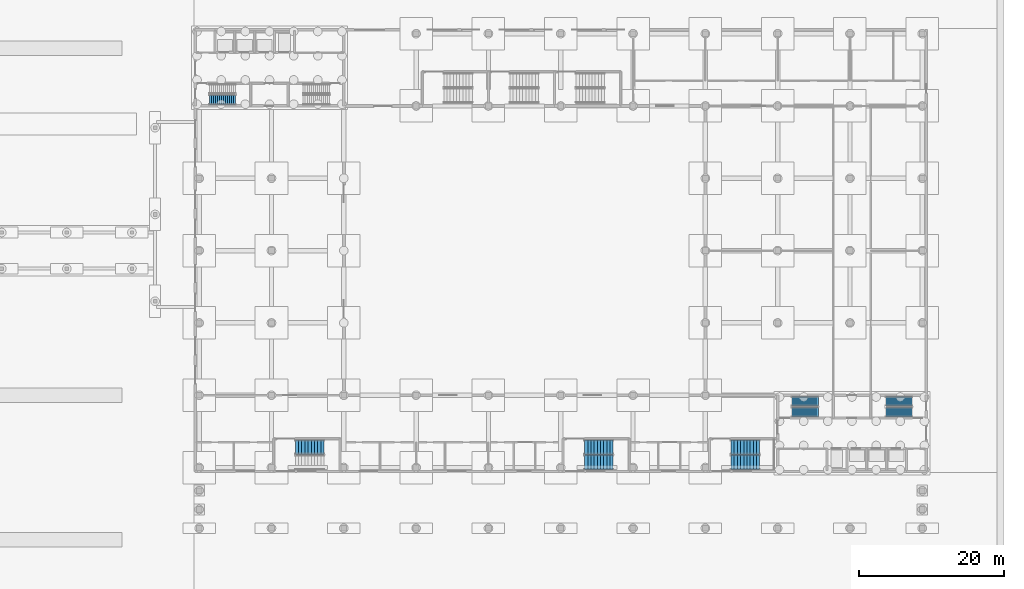
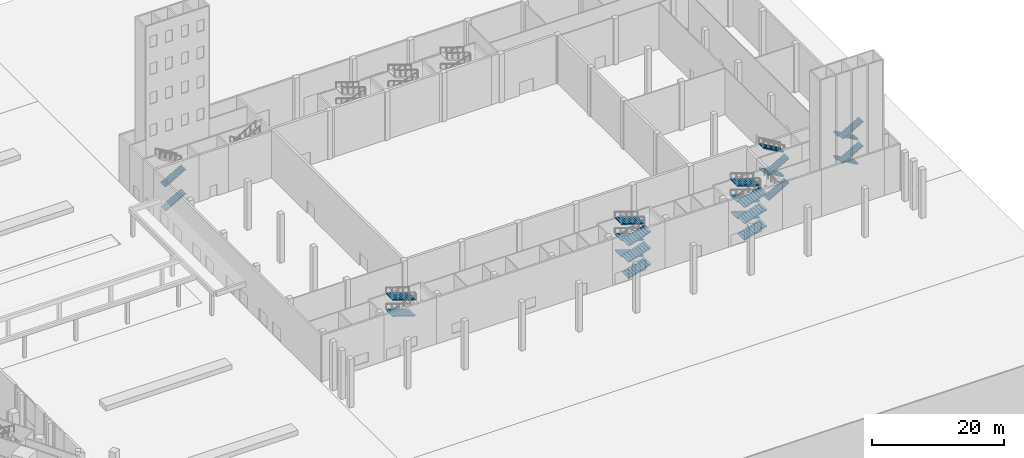
# One storey, part 42 of 63: 24 stair flights, 6 elements without a shape of their own.
"""IFC4 building model written with IfcOpenShell, lengths in metres."""

from ifc_helpers import new_model, si_unit, direction, frame, origin, place, context, subcontext, project, spatial, polyline, outline, extrude, material, type_object, element, aggregate, save


model = new_model("IFC4")

# Units and contexts
model_context = context("Model", 3, precision=1e-05, world=origin(), true_north=direction((0.0, 1.0)))
body_context = subcontext(model_context, "Body", "Model", "MODEL_VIEW")
ifc_project = project(units=[si_unit("LENGTHUNIT", "METRE"), si_unit("AREAUNIT", "SQUARE_METRE"), si_unit("VOLUMEUNIT", "CUBIC_METRE"), si_unit("PLANEANGLEUNIT", "RADIAN"), si_unit("MASSUNIT", "GRAM", prefix="KILO")], contexts=[model_context])

# Site, building, storey
site_placement = place(None, origin())
site = spatial("IfcSite", under=ifc_project, at=site_placement, CompositionType="ELEMENT")
building_placement = place(site_placement, origin())
building = spatial("IfcBuilding", under=site, at=building_placement, Name="Jabali Bay Hotel Tower and Convention Centre", CompositionType="ELEMENT")
storey_placement = place(building_placement, origin())
storey = spatial("IfcBuildingStorey", under=building, at=storey_placement, Name="L00", CompositionType="ELEMENT", Elevation=0.0)

# Stair, stair flights
ifc_material = material(Name="Concrete C40", Category="concrete")
stair_type = type_object("IfcStairType", Name="CC Dogleg Stair 1350", PredefinedType="HALF_TURN_STAIR", material=ifc_material)
stair_1_placement = place(storey_placement, origin())
stair_1 = element("IfcStair", 1, at=stair_1_placement, inside=storey, type_object=stair_type, Name="L00 West stair A", PredefinedType="HALF_TURN_STAIR")
stair_flight_type = type_object("IfcStairFlightType", Name="CC Stair Flight 1350", PredefinedType="STRAIGHT", material=ifc_material)
stair_flight_1_placement = place(storey_placement, frame((152.10009765625, 100.85009765625, 0.0), z_axis=(0.0, 0.0, 1.0), x_axis=(1.0, 0.0, 0.0)))
stair_flight_1 = element("IfcStairFlight", 2, at=stair_flight_1_placement, type_object=stair_flight_type, Name="CC-STWA flight 1", NumberOfRisers=14, NumberOfTreads=13, PredefinedType="STRAIGHT", RiserHeight=0.160714286, TreadLength=0.28, context=body_context, shape_type="SweptSolid", body=[
    extrude(outline(polyline([(0.0, 0.0), (0.0, 0.16064453125), (0.280029296875, 0.16064453125), (0.280029296875, 0.321533203125), (0.56005859375, 0.321533203125), (0.56005859375, 0.482177734375), (0.840087890625, 0.482177734375), (0.840087890625, 0.642822265625), (1.1201171875, 0.642822265625), (1.1201171875, 0.803466796875), (1.39990234375, 0.803466796875), (1.39990234375, 0.96435546875), (1.679931640625, 0.96435546875), (1.679931640625, 1.125), (1.9599609375, 1.125), (1.9599609375, 1.28564453125), (2.239990234375, 1.28564453125), (2.239990234375, 1.446533203125), (2.52001953125, 1.446533203125), (2.52001953125, 1.607177734375), (2.800048828125, 1.607177734375), (2.800048828125, 1.767822265625), (3.080078125, 1.767822265625), (3.080078125, 1.928466796875), (3.360107421875, 1.928466796875), (3.360107421875, 2.08935546875), (3.639892578125, 2.08935546875), (3.639892578125, 2.25), (3.639892578125, 1.91650390625), (0.301025390625, 0.0), (0.0, 0.0)])), frame((0.0, 0.675048828125, 0.0), z_axis=(0.0, -1.0, 0.0), x_axis=(1.0, 0.0, 0.0)), (0.0, 0.0, 1.0), 1.35009765625),
])
stair_flight_2_placement = place(storey_placement, frame((152.10009765625, 100.85009765625, 4.5), z_axis=(0.0, 0.0, 1.0), x_axis=(1.0, 0.0, 0.0)))
stair_flight_2 = element("IfcStairFlight", 3, at=stair_flight_2_placement, type_object=stair_flight_type, Name="CC-STWA flight 3", NumberOfRisers=14, NumberOfTreads=13, PredefinedType="STRAIGHT", RiserHeight=0.160714286, TreadLength=0.28, context=body_context, shape_type="SweptSolid", body=[
    extrude(outline(polyline([(0.0, 0.0), (0.0, 0.16064453125), (0.280029296875, 0.16064453125), (0.280029296875, 0.321533203125), (0.56005859375, 0.321533203125), (0.56005859375, 0.482177734375), (0.840087890625, 0.482177734375), (0.840087890625, 0.642822265625), (1.1201171875, 0.642822265625), (1.1201171875, 0.803466796875), (1.39990234375, 0.803466796875), (1.39990234375, 0.96435546875), (1.679931640625, 0.96435546875), (1.679931640625, 1.125), (1.9599609375, 1.125), (1.9599609375, 1.28564453125), (2.239990234375, 1.28564453125), (2.239990234375, 1.446533203125), (2.52001953125, 1.446533203125), (2.52001953125, 1.607177734375), (2.800048828125, 1.607177734375), (2.800048828125, 1.767822265625), (3.080078125, 1.767822265625), (3.080078125, 1.928466796875), (3.360107421875, 1.928466796875), (3.360107421875, 2.08935546875), (3.639892578125, 2.08935546875), (3.639892578125, 2.25), (3.639892578125, 1.91650390625), (0.301025390625, 0.0), (0.0, 0.0)])), frame((0.0, 0.675048828125, 0.0), z_axis=(0.0, -1.0, 0.0), x_axis=(1.0, 0.0, 0.0)), (0.0, 0.0, 1.0), 1.35009765625),
])
aggregate(stair_1, [stair_flight_1, stair_flight_2])

stair_2_placement = place(storey_placement, origin())
stair_2 = element("IfcStair", 4, at=stair_2_placement, inside=storey, type_object=stair_type, Name="L00 East stair A", PredefinedType="HALF_TURN_STAIR")
stair_flight_3_placement = place(storey_placement, frame((249.300048828125, 59.14990234375, 0.0), z_axis=(0.0, 0.0, 1.0), x_axis=(-1.0, 0.0, 0.0)))
stair_flight_3 = element("IfcStairFlight", 5, at=stair_flight_3_placement, type_object=stair_flight_type, Name="CC-STEA flight 1", NumberOfRisers=14, NumberOfTreads=13, PredefinedType="STRAIGHT", RiserHeight=0.160714286, TreadLength=0.28, context=body_context, shape_type="SweptSolid", body=[
    extrude(outline(polyline([(0.0, 0.0), (0.0, 0.16064453125), (0.280029296875, 0.16064453125), (0.280029296875, 0.321533203125), (0.56005859375, 0.321533203125), (0.56005859375, 0.482177734375), (0.840087890625, 0.482177734375), (0.840087890625, 0.642822265625), (1.1201171875, 0.642822265625), (1.1201171875, 0.803466796875), (1.39990234375, 0.803466796875), (1.39990234375, 0.96435546875), (1.679931640625, 0.96435546875), (1.679931640625, 1.125), (1.9599609375, 1.125), (1.9599609375, 1.28564453125), (2.239990234375, 1.28564453125), (2.239990234375, 1.446533203125), (2.52001953125, 1.446533203125), (2.52001953125, 1.607177734375), (2.800048828125, 1.607177734375), (2.800048828125, 1.767822265625), (3.080078125, 1.767822265625), (3.080078125, 1.928466796875), (3.360107421875, 1.928466796875), (3.360107421875, 2.08935546875), (3.639892578125, 2.08935546875), (3.639892578125, 2.25), (3.639892578125, 1.91650390625), (0.301025390625, 0.0), (0.0, 0.0)])), frame((0.0, 0.675048828125, 0.0), z_axis=(0.0, -1.0, 0.0), x_axis=(1.0, 0.0, 0.0)), (0.0, 0.0, 1.0), 1.35009765625),
])
stair_flight_4_placement = place(storey_placement, frame((245.659912109375, 57.64990234375, 2.25), z_axis=(0.0, 0.0, 1.0), x_axis=(1.0, 0.0, 0.0)))
stair_flight_4 = element("IfcStairFlight", 6, at=stair_flight_4_placement, type_object=stair_flight_type, Name="CC-STEA flight 2", NumberOfRisers=14, NumberOfTreads=13, PredefinedType="STRAIGHT", RiserHeight=0.160714286, TreadLength=0.28, context=body_context, shape_type="SweptSolid", body=[
    extrude(outline(polyline([(0.0, 0.0), (0.0, 0.16064453125), (0.280029296875, 0.16064453125), (0.280029296875, 0.321533203125), (0.56005859375, 0.321533203125), (0.56005859375, 0.482177734375), (0.840087890625, 0.482177734375), (0.840087890625, 0.642822265625), (1.1201171875, 0.642822265625), (1.1201171875, 0.803466796875), (1.39990234375, 0.803466796875), (1.39990234375, 0.96435546875), (1.679931640625, 0.96435546875), (1.679931640625, 1.125), (1.9599609375, 1.125), (1.9599609375, 1.28564453125), (2.239990234375, 1.28564453125), (2.239990234375, 1.446533203125), (2.52001953125, 1.446533203125), (2.52001953125, 1.607177734375), (2.800048828125, 1.607177734375), (2.800048828125, 1.767822265625), (3.080078125, 1.767822265625), (3.080078125, 1.928466796875), (3.360107421875, 1.928466796875), (3.360107421875, 2.08935546875), (3.639892578125, 2.08935546875), (3.639892578125, 2.25), (3.639892578125, 1.91650390625), (0.301025390625, 0.0), (0.0, 0.0)])), frame((0.0, 0.675048828125, 0.0), z_axis=(0.0, -1.0, 0.0), x_axis=(1.0, 0.0, 0.0)), (0.0, 0.0, 1.0), 1.35009765625),
])
stair_flight_5_placement = place(storey_placement, frame((249.300048828125, 59.14990234375, 4.5), z_axis=(0.0, 0.0, 1.0), x_axis=(-1.0, 0.0, 0.0)))
stair_flight_5 = element("IfcStairFlight", 7, at=stair_flight_5_placement, type_object=stair_flight_type, Name="CC-STEA flight 3", NumberOfRisers=14, NumberOfTreads=13, PredefinedType="STRAIGHT", RiserHeight=0.160714286, TreadLength=0.28, context=body_context, shape_type="SweptSolid", body=[
    extrude(outline(polyline([(0.0, 0.0), (0.0, 0.16064453125), (0.280029296875, 0.16064453125), (0.280029296875, 0.321533203125), (0.56005859375, 0.321533203125), (0.56005859375, 0.482177734375), (0.840087890625, 0.482177734375), (0.840087890625, 0.642822265625), (1.1201171875, 0.642822265625), (1.1201171875, 0.803466796875), (1.39990234375, 0.803466796875), (1.39990234375, 0.96435546875), (1.679931640625, 0.96435546875), (1.679931640625, 1.125), (1.9599609375, 1.125), (1.9599609375, 1.28564453125), (2.239990234375, 1.28564453125), (2.239990234375, 1.446533203125), (2.52001953125, 1.446533203125), (2.52001953125, 1.607177734375), (2.800048828125, 1.607177734375), (2.800048828125, 1.767822265625), (3.080078125, 1.767822265625), (3.080078125, 1.928466796875), (3.360107421875, 1.928466796875), (3.360107421875, 2.08935546875), (3.639892578125, 2.08935546875), (3.639892578125, 2.25), (3.639892578125, 1.91650390625), (0.301025390625, 0.0), (0.0, 0.0)])), frame((0.0, 0.675048828125, 0.0), z_axis=(0.0, -1.0, 0.0), x_axis=(1.0, 0.0, 0.0)), (0.0, 0.0, 1.0), 1.35009765625),
])
stair_flight_6_placement = place(storey_placement, frame((245.659912109375, 57.64990234375, 6.75), z_axis=(0.0, 0.0, 1.0), x_axis=(1.0, 0.0, 0.0)))
stair_flight_6 = element("IfcStairFlight", 8, at=stair_flight_6_placement, type_object=stair_flight_type, Name="CC-STEA flight 4", NumberOfRisers=14, NumberOfTreads=13, PredefinedType="STRAIGHT", RiserHeight=0.160714286, TreadLength=0.28, context=body_context, shape_type="SweptSolid", body=[
    extrude(outline(polyline([(0.0, 0.0), (0.0, 0.16064453125), (0.280029296875, 0.16064453125), (0.280029296875, 0.321533203125), (0.56005859375, 0.321533203125), (0.56005859375, 0.482177734375), (0.840087890625, 0.482177734375), (0.840087890625, 0.642822265625), (1.1201171875, 0.642822265625), (1.1201171875, 0.803466796875), (1.39990234375, 0.803466796875), (1.39990234375, 0.96435546875), (1.679931640625, 0.96435546875), (1.679931640625, 1.125), (1.9599609375, 1.125), (1.9599609375, 1.28564453125), (2.239990234375, 1.28564453125), (2.239990234375, 1.446533203125), (2.52001953125, 1.446533203125), (2.52001953125, 1.607177734375), (2.800048828125, 1.607177734375), (2.800048828125, 1.767822265625), (3.080078125, 1.767822265625), (3.080078125, 1.928466796875), (3.360107421875, 1.928466796875), (3.360107421875, 2.08935546875), (3.639892578125, 2.08935546875), (3.639892578125, 2.25), (3.639892578125, 1.91650390625), (0.301025390625, 0.0), (0.0, 0.0)])), frame((0.0, 0.675048828125, 0.0), z_axis=(0.0, -1.0, 0.0), x_axis=(1.0, 0.0, 0.0)), (0.0, 0.0, 1.0), 1.35009765625),
])
aggregate(stair_2, [stair_flight_3, stair_flight_4, stair_flight_5, stair_flight_6])

stair_3_placement = place(storey_placement, origin())
stair_3 = element("IfcStair", 9, at=stair_3_placement, inside=storey, type_object=stair_type, Name="L00 East stair B", PredefinedType="HALF_TURN_STAIR")
stair_flight_7_placement = place(storey_placement, frame((232.675048828125, 57.64990234375, 0.0), z_axis=(0.0, 0.0, 1.0), x_axis=(1.0, 0.0, 0.0)))
stair_flight_7 = element("IfcStairFlight", 10, at=stair_flight_7_placement, type_object=stair_flight_type, Name="CC-STEB flight 1", NumberOfRisers=14, NumberOfTreads=13, PredefinedType="STRAIGHT", RiserHeight=0.160714286, TreadLength=0.28, context=body_context, shape_type="SweptSolid", body=[
    extrude(outline(polyline([(0.0, 0.0), (0.0, 0.16064453125), (0.280029296875, 0.16064453125), (0.280029296875, 0.321533203125), (0.56005859375, 0.321533203125), (0.56005859375, 0.482177734375), (0.840087890625, 0.482177734375), (0.840087890625, 0.642822265625), (1.1201171875, 0.642822265625), (1.1201171875, 0.803466796875), (1.39990234375, 0.803466796875), (1.39990234375, 0.96435546875), (1.679931640625, 0.96435546875), (1.679931640625, 1.125), (1.9599609375, 1.125), (1.9599609375, 1.28564453125), (2.239990234375, 1.28564453125), (2.239990234375, 1.446533203125), (2.52001953125, 1.446533203125), (2.52001953125, 1.607177734375), (2.800048828125, 1.607177734375), (2.800048828125, 1.767822265625), (3.080078125, 1.767822265625), (3.080078125, 1.928466796875), (3.360107421875, 1.928466796875), (3.360107421875, 2.08935546875), (3.639892578125, 2.08935546875), (3.639892578125, 2.25), (3.639892578125, 1.91650390625), (0.301025390625, 0.0), (0.0, 0.0)])), frame((0.0, 0.675048828125, 0.0), z_axis=(0.0, -1.0, 0.0), x_axis=(1.0, 0.0, 0.0)), (0.0, 0.0, 1.0), 1.35009765625),
])
stair_flight_8_placement = place(storey_placement, frame((236.31494140625, 59.14990234375, 2.25), z_axis=(0.0, 0.0, 1.0), x_axis=(-1.0, 0.0, 0.0)))
stair_flight_8 = element("IfcStairFlight", 11, at=stair_flight_8_placement, type_object=stair_flight_type, Name="CC-STEB flight 2", NumberOfRisers=14, NumberOfTreads=13, PredefinedType="STRAIGHT", RiserHeight=0.160714286, TreadLength=0.28, context=body_context, shape_type="SweptSolid", body=[
    extrude(outline(polyline([(0.0, 0.0), (0.0, 0.16064453125), (0.280029296875, 0.16064453125), (0.280029296875, 0.321533203125), (0.56005859375, 0.321533203125), (0.56005859375, 0.482177734375), (0.840087890625, 0.482177734375), (0.840087890625, 0.642822265625), (1.1201171875, 0.642822265625), (1.1201171875, 0.803466796875), (1.39990234375, 0.803466796875), (1.39990234375, 0.96435546875), (1.679931640625, 0.96435546875), (1.679931640625, 1.125), (1.9599609375, 1.125), (1.9599609375, 1.28564453125), (2.239990234375, 1.28564453125), (2.239990234375, 1.446533203125), (2.52001953125, 1.446533203125), (2.52001953125, 1.607177734375), (2.800048828125, 1.607177734375), (2.800048828125, 1.767822265625), (3.080078125, 1.767822265625), (3.080078125, 1.928466796875), (3.360107421875, 1.928466796875), (3.360107421875, 2.08935546875), (3.639892578125, 2.08935546875), (3.639892578125, 2.25), (3.639892578125, 1.91650390625), (0.301025390625, 0.0), (0.0, 0.0)])), frame((0.0, 0.675048828125, 0.0), z_axis=(0.0, -1.0, 0.0), x_axis=(1.0, 0.0, 0.0)), (0.0, 0.0, 1.0), 1.35009765625),
])
stair_flight_9_placement = place(storey_placement, frame((232.675048828125, 57.64990234375, 4.5), z_axis=(0.0, 0.0, 1.0), x_axis=(1.0, 0.0, 0.0)))
stair_flight_9 = element("IfcStairFlight", 12, at=stair_flight_9_placement, type_object=stair_flight_type, Name="CC-STEB flight 3", NumberOfRisers=14, NumberOfTreads=13, PredefinedType="STRAIGHT", RiserHeight=0.160714286, TreadLength=0.28, context=body_context, shape_type="SweptSolid", body=[
    extrude(outline(polyline([(0.0, 0.0), (0.0, 0.16064453125), (0.280029296875, 0.16064453125), (0.280029296875, 0.321533203125), (0.56005859375, 0.321533203125), (0.56005859375, 0.482177734375), (0.840087890625, 0.482177734375), (0.840087890625, 0.642822265625), (1.1201171875, 0.642822265625), (1.1201171875, 0.803466796875), (1.39990234375, 0.803466796875), (1.39990234375, 0.96435546875), (1.679931640625, 0.96435546875), (1.679931640625, 1.125), (1.9599609375, 1.125), (1.9599609375, 1.28564453125), (2.239990234375, 1.28564453125), (2.239990234375, 1.446533203125), (2.52001953125, 1.446533203125), (2.52001953125, 1.607177734375), (2.800048828125, 1.607177734375), (2.800048828125, 1.767822265625), (3.080078125, 1.767822265625), (3.080078125, 1.928466796875), (3.360107421875, 1.928466796875), (3.360107421875, 2.08935546875), (3.639892578125, 2.08935546875), (3.639892578125, 2.25), (3.639892578125, 1.91650390625), (0.301025390625, 0.0), (0.0, 0.0)])), frame((0.0, 0.675048828125, 0.0), z_axis=(0.0, -1.0, 0.0), x_axis=(1.0, 0.0, 0.0)), (0.0, 0.0, 1.0), 1.35009765625),
])
stair_flight_10_placement = place(storey_placement, frame((236.31494140625, 59.14990234375, 6.75), z_axis=(0.0, 0.0, 1.0), x_axis=(-1.0, 0.0, 0.0)))
stair_flight_10 = element("IfcStairFlight", 13, at=stair_flight_10_placement, type_object=stair_flight_type, Name="CC-STEB flight 4", NumberOfRisers=14, NumberOfTreads=13, PredefinedType="STRAIGHT", RiserHeight=0.160714286, TreadLength=0.28, context=body_context, shape_type="SweptSolid", body=[
    extrude(outline(polyline([(0.0, 0.0), (0.0, 0.16064453125), (0.280029296875, 0.16064453125), (0.280029296875, 0.321533203125), (0.56005859375, 0.321533203125), (0.56005859375, 0.482177734375), (0.840087890625, 0.482177734375), (0.840087890625, 0.642822265625), (1.1201171875, 0.642822265625), (1.1201171875, 0.803466796875), (1.39990234375, 0.803466796875), (1.39990234375, 0.96435546875), (1.679931640625, 0.96435546875), (1.679931640625, 1.125), (1.9599609375, 1.125), (1.9599609375, 1.28564453125), (2.239990234375, 1.28564453125), (2.239990234375, 1.446533203125), (2.52001953125, 1.446533203125), (2.52001953125, 1.607177734375), (2.800048828125, 1.607177734375), (2.800048828125, 1.767822265625), (3.080078125, 1.767822265625), (3.080078125, 1.928466796875), (3.360107421875, 1.928466796875), (3.360107421875, 2.08935546875), (3.639892578125, 2.08935546875), (3.639892578125, 2.25), (3.639892578125, 1.91650390625), (0.301025390625, 0.0), (0.0, 0.0)])), frame((0.0, 0.675048828125, 0.0), z_axis=(0.0, -1.0, 0.0), x_axis=(1.0, 0.0, 0.0)), (0.0, 0.0, 1.0), 1.35009765625),
])
aggregate(stair_3, [stair_flight_7, stair_flight_8, stair_flight_9, stair_flight_10])

stair_4_placement = place(storey_placement, origin())
stair_4 = element("IfcStair", 14, at=stair_4_placement, inside=storey, type_object=stair_type, Name="L00 South Exit Stair 1", PredefinedType="HALF_TURN_STAIR")
stair_flight_11_placement = place(storey_placement, frame((167.9599609375, 52.800048828125, 4.5), z_axis=(0.0, 0.0, 1.0), x_axis=(-1.0, 0.0, 0.0)))
stair_flight_11 = element("IfcStairFlight", 15, at=stair_flight_11_placement, type_object=stair_flight_type, Name="CC-STS1 flight 4", NumberOfRisers=10, NumberOfTreads=9, PredefinedType="STRAIGHT", RiserHeight=0.15, TreadLength=0.44, context=body_context, shape_type="SweptSolid", body=[
    extrude(outline(polyline([(0.0, 0.0), (0.0, 0.14990234375), (0.43994140625, 0.14990234375), (0.43994140625, 0.300048828125), (0.8798828125, 0.300048828125), (0.8798828125, 0.449951171875), (1.320068359375, 0.449951171875), (1.320068359375, 0.60009765625), (1.760009765625, 0.60009765625), (1.760009765625, 0.75), (2.199951171875, 0.75), (2.199951171875, 0.89990234375), (2.639892578125, 0.89990234375), (2.639892578125, 1.050048828125), (3.080078125, 1.050048828125), (3.080078125, 1.199951171875), (3.52001953125, 1.199951171875), (3.52001953125, 1.35009765625), (3.9599609375, 1.35009765625), (3.9599609375, 1.5), (3.9599609375, 1.191650390625), (0.464599609375, 0.0), (0.0, 0.0)])), frame((0.0, 1.0, 0.0), z_axis=(0.0, -1.0, 0.0), x_axis=(1.0, 0.0, 0.0)), (0.0, 0.0, 1.0), 2.0),
])
stair_flight_12_placement = place(storey_placement, frame((167.9599609375, 52.800048828125, 7.5), z_axis=(0.0, 0.0, 1.0), x_axis=(-1.0, 0.0, 0.0)))
stair_flight_12 = element("IfcStairFlight", 16, at=stair_flight_12_placement, type_object=stair_flight_type, Name="CC-STS1 flight 6", NumberOfRisers=10, NumberOfTreads=9, PredefinedType="STRAIGHT", RiserHeight=0.15, TreadLength=0.44, context=body_context, shape_type="SweptSolid", body=[
    extrude(outline(polyline([(0.0, 0.0), (0.0, 0.14990234375), (0.43994140625, 0.14990234375), (0.43994140625, 0.300048828125), (0.8798828125, 0.300048828125), (0.8798828125, 0.449951171875), (1.320068359375, 0.449951171875), (1.320068359375, 0.60009765625), (1.760009765625, 0.60009765625), (1.760009765625, 0.75), (2.199951171875, 0.75), (2.199951171875, 0.89990234375), (2.639892578125, 0.89990234375), (2.639892578125, 1.050048828125), (3.080078125, 1.050048828125), (3.080078125, 1.199951171875), (3.52001953125, 1.199951171875), (3.52001953125, 1.35009765625), (3.9599609375, 1.35009765625), (3.9599609375, 1.5), (3.9599609375, 1.191650390625), (0.464599609375, 0.0), (0.0, 0.0)])), frame((0.0, 1.0, 0.0), z_axis=(0.0, -1.0, 0.0), x_axis=(1.0, 0.0, 0.0)), (0.0, 0.0, 1.0), 2.0),
])
aggregate(stair_4, [stair_flight_11, stair_flight_12])

stair_5_placement = place(storey_placement, origin())
stair_5 = element("IfcStair", 17, at=stair_5_placement, inside=storey, type_object=stair_type, Name="L00 South Exit Stair 2", PredefinedType="HALF_TURN_STAIR")
stair_flight_13_placement = place(storey_placement, frame((204.0, 50.699951171875, 0.0), z_axis=(0.0, 0.0, 1.0), x_axis=(1.0, 0.0, 0.0)))
stair_flight_13 = element("IfcStairFlight", 18, at=stair_flight_13_placement, type_object=stair_flight_type, Name="CC-STS2 flight 1", NumberOfRisers=10, NumberOfTreads=9, PredefinedType="STRAIGHT", RiserHeight=0.15, TreadLength=0.44, context=body_context, shape_type="SweptSolid", body=[
    extrude(outline(polyline([(0.0, 0.0), (0.0, 0.14990234375), (0.43994140625, 0.14990234375), (0.43994140625, 0.300048828125), (0.8798828125, 0.300048828125), (0.8798828125, 0.449951171875), (1.320068359375, 0.449951171875), (1.320068359375, 0.60009765625), (1.760009765625, 0.60009765625), (1.760009765625, 0.75), (2.199951171875, 0.75), (2.199951171875, 0.89990234375), (2.639892578125, 0.89990234375), (2.639892578125, 1.050048828125), (3.080078125, 1.050048828125), (3.080078125, 1.199951171875), (3.52001953125, 1.199951171875), (3.52001953125, 1.35009765625), (3.9599609375, 1.35009765625), (3.9599609375, 1.5), (3.9599609375, 1.191650390625), (0.464599609375, 0.0), (0.0, 0.0)])), frame((0.0, 1.0, 0.0), z_axis=(0.0, -1.0, 0.0), x_axis=(1.0, 0.0, 0.0)), (0.0, 0.0, 1.0), 2.0),
])
stair_flight_14_placement = place(storey_placement, frame((207.9599609375, 52.800048828125, 1.5), z_axis=(0.0, 0.0, 1.0), x_axis=(-1.0, 0.0, 0.0)))
stair_flight_14 = element("IfcStairFlight", 19, at=stair_flight_14_placement, type_object=stair_flight_type, Name="CC-STS2 flight 2", NumberOfRisers=10, NumberOfTreads=9, PredefinedType="STRAIGHT", RiserHeight=0.15, TreadLength=0.44, context=body_context, shape_type="SweptSolid", body=[
    extrude(outline(polyline([(0.0, 0.0), (0.0, 0.14990234375), (0.43994140625, 0.14990234375), (0.43994140625, 0.300048828125), (0.8798828125, 0.300048828125), (0.8798828125, 0.449951171875), (1.320068359375, 0.449951171875), (1.320068359375, 0.60009765625), (1.760009765625, 0.60009765625), (1.760009765625, 0.75), (2.199951171875, 0.75), (2.199951171875, 0.89990234375), (2.639892578125, 0.89990234375), (2.639892578125, 1.050048828125), (3.080078125, 1.050048828125), (3.080078125, 1.199951171875), (3.52001953125, 1.199951171875), (3.52001953125, 1.35009765625), (3.9599609375, 1.35009765625), (3.9599609375, 1.5), (3.9599609375, 1.191650390625), (0.464599609375, 0.0), (0.0, 0.0)])), frame((0.0, 1.0, 0.0), z_axis=(0.0, -1.0, 0.0), x_axis=(1.0, 0.0, 0.0)), (0.0, 0.0, 1.0), 2.0),
])
stair_flight_15_placement = place(storey_placement, frame((204.0, 50.699951171875, 3.0), z_axis=(0.0, 0.0, 1.0), x_axis=(1.0, 0.0, 0.0)))
stair_flight_15 = element("IfcStairFlight", 20, at=stair_flight_15_placement, type_object=stair_flight_type, Name="CC-STS2 flight 3", NumberOfRisers=10, NumberOfTreads=9, PredefinedType="STRAIGHT", RiserHeight=0.15, TreadLength=0.44, context=body_context, shape_type="SweptSolid", body=[
    extrude(outline(polyline([(0.0, 0.0), (0.0, 0.14990234375), (0.43994140625, 0.14990234375), (0.43994140625, 0.300048828125), (0.8798828125, 0.300048828125), (0.8798828125, 0.449951171875), (1.320068359375, 0.449951171875), (1.320068359375, 0.60009765625), (1.760009765625, 0.60009765625), (1.760009765625, 0.75), (2.199951171875, 0.75), (2.199951171875, 0.89990234375), (2.639892578125, 0.89990234375), (2.639892578125, 1.050048828125), (3.080078125, 1.050048828125), (3.080078125, 1.199951171875), (3.52001953125, 1.199951171875), (3.52001953125, 1.35009765625), (3.9599609375, 1.35009765625), (3.9599609375, 1.5), (3.9599609375, 1.191650390625), (0.464599609375, 0.0), (0.0, 0.0)])), frame((0.0, 1.0, 0.0), z_axis=(0.0, -1.0, 0.0), x_axis=(1.0, 0.0, 0.0)), (0.0, 0.0, 1.0), 2.0),
])
stair_flight_16_placement = place(storey_placement, frame((207.9599609375, 52.800048828125, 4.5), z_axis=(0.0, 0.0, 1.0), x_axis=(-1.0, 0.0, 0.0)))
stair_flight_16 = element("IfcStairFlight", 21, at=stair_flight_16_placement, type_object=stair_flight_type, Name="CC-STS2 flight 4", NumberOfRisers=10, NumberOfTreads=9, PredefinedType="STRAIGHT", RiserHeight=0.15, TreadLength=0.44, context=body_context, shape_type="SweptSolid", body=[
    extrude(outline(polyline([(0.0, 0.0), (0.0, 0.14990234375), (0.43994140625, 0.14990234375), (0.43994140625, 0.300048828125), (0.8798828125, 0.300048828125), (0.8798828125, 0.449951171875), (1.320068359375, 0.449951171875), (1.320068359375, 0.60009765625), (1.760009765625, 0.60009765625), (1.760009765625, 0.75), (2.199951171875, 0.75), (2.199951171875, 0.89990234375), (2.639892578125, 0.89990234375), (2.639892578125, 1.050048828125), (3.080078125, 1.050048828125), (3.080078125, 1.199951171875), (3.52001953125, 1.199951171875), (3.52001953125, 1.35009765625), (3.9599609375, 1.35009765625), (3.9599609375, 1.5), (3.9599609375, 1.191650390625), (0.464599609375, 0.0), (0.0, 0.0)])), frame((0.0, 1.0, 0.0), z_axis=(0.0, -1.0, 0.0), x_axis=(1.0, 0.0, 0.0)), (0.0, 0.0, 1.0), 2.0),
])
stair_flight_17_placement = place(storey_placement, frame((204.0, 50.699951171875, 6.0), z_axis=(0.0, 0.0, 1.0), x_axis=(1.0, 0.0, 0.0)))
stair_flight_17 = element("IfcStairFlight", 22, at=stair_flight_17_placement, type_object=stair_flight_type, Name="CC-STS2 flight 5", NumberOfRisers=10, NumberOfTreads=9, PredefinedType="STRAIGHT", RiserHeight=0.15, TreadLength=0.44, context=body_context, shape_type="SweptSolid", body=[
    extrude(outline(polyline([(0.0, 0.0), (0.0, 0.14990234375), (0.43994140625, 0.14990234375), (0.43994140625, 0.300048828125), (0.8798828125, 0.300048828125), (0.8798828125, 0.449951171875), (1.320068359375, 0.449951171875), (1.320068359375, 0.60009765625), (1.760009765625, 0.60009765625), (1.760009765625, 0.75), (2.199951171875, 0.75), (2.199951171875, 0.89990234375), (2.639892578125, 0.89990234375), (2.639892578125, 1.050048828125), (3.080078125, 1.050048828125), (3.080078125, 1.199951171875), (3.52001953125, 1.199951171875), (3.52001953125, 1.35009765625), (3.9599609375, 1.35009765625), (3.9599609375, 1.5), (3.9599609375, 1.191650390625), (0.464599609375, 0.0), (0.0, 0.0)])), frame((0.0, 1.0, 0.0), z_axis=(0.0, -1.0, 0.0), x_axis=(1.0, 0.0, 0.0)), (0.0, 0.0, 1.0), 2.0),
])
stair_flight_18_placement = place(storey_placement, frame((207.9599609375, 52.800048828125, 7.5), z_axis=(0.0, 0.0, 1.0), x_axis=(-1.0, 0.0, 0.0)))
stair_flight_18 = element("IfcStairFlight", 23, at=stair_flight_18_placement, type_object=stair_flight_type, Name="CC-STS2 flight 6", NumberOfRisers=10, NumberOfTreads=9, PredefinedType="STRAIGHT", RiserHeight=0.15, TreadLength=0.44, context=body_context, shape_type="SweptSolid", body=[
    extrude(outline(polyline([(0.0, 0.0), (0.0, 0.14990234375), (0.43994140625, 0.14990234375), (0.43994140625, 0.300048828125), (0.8798828125, 0.300048828125), (0.8798828125, 0.449951171875), (1.320068359375, 0.449951171875), (1.320068359375, 0.60009765625), (1.760009765625, 0.60009765625), (1.760009765625, 0.75), (2.199951171875, 0.75), (2.199951171875, 0.89990234375), (2.639892578125, 0.89990234375), (2.639892578125, 1.050048828125), (3.080078125, 1.050048828125), (3.080078125, 1.199951171875), (3.52001953125, 1.199951171875), (3.52001953125, 1.35009765625), (3.9599609375, 1.35009765625), (3.9599609375, 1.5), (3.9599609375, 1.191650390625), (0.464599609375, 0.0), (0.0, 0.0)])), frame((0.0, 1.0, 0.0), z_axis=(0.0, -1.0, 0.0), x_axis=(1.0, 0.0, 0.0)), (0.0, 0.0, 1.0), 2.0),
])
aggregate(stair_5, [stair_flight_13, stair_flight_14, stair_flight_15, stair_flight_16, stair_flight_17, stair_flight_18])

stair_6_placement = place(storey_placement, origin())
stair_6 = element("IfcStair", 24, at=stair_6_placement, inside=storey, type_object=stair_type, Name="L00 South Exit Stair 3", PredefinedType="HALF_TURN_STAIR")
stair_flight_19_placement = place(storey_placement, frame((224.25, 50.699951171875, 0.0), z_axis=(0.0, 0.0, 1.0), x_axis=(1.0, 0.0, 0.0)))
stair_flight_19 = element("IfcStairFlight", 25, at=stair_flight_19_placement, type_object=stair_flight_type, Name="CC-STS3 flight 1", NumberOfRisers=10, NumberOfTreads=9, PredefinedType="STRAIGHT", RiserHeight=0.15, TreadLength=0.44, context=body_context, shape_type="SweptSolid", body=[
    extrude(outline(polyline([(0.0, 0.0), (0.0, 0.14990234375), (0.43994140625, 0.14990234375), (0.43994140625, 0.300048828125), (0.8798828125, 0.300048828125), (0.8798828125, 0.449951171875), (1.320068359375, 0.449951171875), (1.320068359375, 0.60009765625), (1.760009765625, 0.60009765625), (1.760009765625, 0.75), (2.199951171875, 0.75), (2.199951171875, 0.89990234375), (2.639892578125, 0.89990234375), (2.639892578125, 1.050048828125), (3.080078125, 1.050048828125), (3.080078125, 1.199951171875), (3.52001953125, 1.199951171875), (3.52001953125, 1.35009765625), (3.9599609375, 1.35009765625), (3.9599609375, 1.5), (3.9599609375, 1.191650390625), (0.464599609375, 0.0), (0.0, 0.0)])), frame((0.0, 1.0, 0.0), z_axis=(0.0, -1.0, 0.0), x_axis=(1.0, 0.0, 0.0)), (0.0, 0.0, 1.0), 2.0),
])
stair_flight_20_placement = place(storey_placement, frame((228.2099609375, 52.800048828125, 1.5), z_axis=(0.0, 0.0, 1.0), x_axis=(-1.0, 0.0, 0.0)))
stair_flight_20 = element("IfcStairFlight", 26, at=stair_flight_20_placement, type_object=stair_flight_type, Name="CC-STS3 flight 2", NumberOfRisers=10, NumberOfTreads=9, PredefinedType="STRAIGHT", RiserHeight=0.15, TreadLength=0.44, context=body_context, shape_type="SweptSolid", body=[
    extrude(outline(polyline([(0.0, 0.0), (0.0, 0.14990234375), (0.43994140625, 0.14990234375), (0.43994140625, 0.300048828125), (0.8798828125, 0.300048828125), (0.8798828125, 0.449951171875), (1.320068359375, 0.449951171875), (1.320068359375, 0.60009765625), (1.760009765625, 0.60009765625), (1.760009765625, 0.75), (2.199951171875, 0.75), (2.199951171875, 0.89990234375), (2.639892578125, 0.89990234375), (2.639892578125, 1.050048828125), (3.080078125, 1.050048828125), (3.080078125, 1.199951171875), (3.52001953125, 1.199951171875), (3.52001953125, 1.35009765625), (3.9599609375, 1.35009765625), (3.9599609375, 1.5), (3.9599609375, 1.191650390625), (0.464599609375, 0.0), (0.0, 0.0)])), frame((0.0, 1.0, 0.0), z_axis=(0.0, -1.0, 0.0), x_axis=(1.0, 0.0, 0.0)), (0.0, 0.0, 1.0), 2.0),
])
stair_flight_21_placement = place(storey_placement, frame((224.25, 50.699951171875, 3.0), z_axis=(0.0, 0.0, 1.0), x_axis=(1.0, 0.0, 0.0)))
stair_flight_21 = element("IfcStairFlight", 27, at=stair_flight_21_placement, type_object=stair_flight_type, Name="CC-STS3 flight 3", NumberOfRisers=10, NumberOfTreads=9, PredefinedType="STRAIGHT", RiserHeight=0.15, TreadLength=0.44, context=body_context, shape_type="SweptSolid", body=[
    extrude(outline(polyline([(0.0, 0.0), (0.0, 0.14990234375), (0.43994140625, 0.14990234375), (0.43994140625, 0.300048828125), (0.8798828125, 0.300048828125), (0.8798828125, 0.449951171875), (1.320068359375, 0.449951171875), (1.320068359375, 0.60009765625), (1.760009765625, 0.60009765625), (1.760009765625, 0.75), (2.199951171875, 0.75), (2.199951171875, 0.89990234375), (2.639892578125, 0.89990234375), (2.639892578125, 1.050048828125), (3.080078125, 1.050048828125), (3.080078125, 1.199951171875), (3.52001953125, 1.199951171875), (3.52001953125, 1.35009765625), (3.9599609375, 1.35009765625), (3.9599609375, 1.5), (3.9599609375, 1.191650390625), (0.464599609375, 0.0), (0.0, 0.0)])), frame((0.0, 1.0, 0.0), z_axis=(0.0, -1.0, 0.0), x_axis=(1.0, 0.0, 0.0)), (0.0, 0.0, 1.0), 2.0),
])
stair_flight_22_placement = place(storey_placement, frame((228.2099609375, 52.800048828125, 4.5), z_axis=(0.0, 0.0, 1.0), x_axis=(-1.0, 0.0, 0.0)))
stair_flight_22 = element("IfcStairFlight", 28, at=stair_flight_22_placement, type_object=stair_flight_type, Name="CC-STS3 flight 4", NumberOfRisers=10, NumberOfTreads=9, PredefinedType="STRAIGHT", RiserHeight=0.15, TreadLength=0.44, context=body_context, shape_type="SweptSolid", body=[
    extrude(outline(polyline([(0.0, 0.0), (0.0, 0.14990234375), (0.43994140625, 0.14990234375), (0.43994140625, 0.300048828125), (0.8798828125, 0.300048828125), (0.8798828125, 0.449951171875), (1.320068359375, 0.449951171875), (1.320068359375, 0.60009765625), (1.760009765625, 0.60009765625), (1.760009765625, 0.75), (2.199951171875, 0.75), (2.199951171875, 0.89990234375), (2.639892578125, 0.89990234375), (2.639892578125, 1.050048828125), (3.080078125, 1.050048828125), (3.080078125, 1.199951171875), (3.52001953125, 1.199951171875), (3.52001953125, 1.35009765625), (3.9599609375, 1.35009765625), (3.9599609375, 1.5), (3.9599609375, 1.191650390625), (0.464599609375, 0.0), (0.0, 0.0)])), frame((0.0, 1.0, 0.0), z_axis=(0.0, -1.0, 0.0), x_axis=(1.0, 0.0, 0.0)), (0.0, 0.0, 1.0), 2.0),
])
stair_flight_23_placement = place(storey_placement, frame((224.25, 50.699951171875, 6.0), z_axis=(0.0, 0.0, 1.0), x_axis=(1.0, 0.0, 0.0)))
stair_flight_23 = element("IfcStairFlight", 29, at=stair_flight_23_placement, type_object=stair_flight_type, Name="CC-STS3 flight 5", NumberOfRisers=10, NumberOfTreads=9, PredefinedType="STRAIGHT", RiserHeight=0.15, TreadLength=0.44, context=body_context, shape_type="SweptSolid", body=[
    extrude(outline(polyline([(0.0, 0.0), (0.0, 0.14990234375), (0.43994140625, 0.14990234375), (0.43994140625, 0.300048828125), (0.8798828125, 0.300048828125), (0.8798828125, 0.449951171875), (1.320068359375, 0.449951171875), (1.320068359375, 0.60009765625), (1.760009765625, 0.60009765625), (1.760009765625, 0.75), (2.199951171875, 0.75), (2.199951171875, 0.89990234375), (2.639892578125, 0.89990234375), (2.639892578125, 1.050048828125), (3.080078125, 1.050048828125), (3.080078125, 1.199951171875), (3.52001953125, 1.199951171875), (3.52001953125, 1.35009765625), (3.9599609375, 1.35009765625), (3.9599609375, 1.5), (3.9599609375, 1.191650390625), (0.464599609375, 0.0), (0.0, 0.0)])), frame((0.0, 1.0, 0.0), z_axis=(0.0, -1.0, 0.0), x_axis=(1.0, 0.0, 0.0)), (0.0, 0.0, 1.0), 2.0),
])
stair_flight_24_placement = place(storey_placement, frame((228.2099609375, 52.800048828125, 7.5), z_axis=(0.0, 0.0, 1.0), x_axis=(-1.0, 0.0, 0.0)))
stair_flight_24 = element("IfcStairFlight", 30, at=stair_flight_24_placement, type_object=stair_flight_type, Name="CC-STS3 flight 6", NumberOfRisers=10, NumberOfTreads=9, PredefinedType="STRAIGHT", RiserHeight=0.15, TreadLength=0.44, context=body_context, shape_type="SweptSolid", body=[
    extrude(outline(polyline([(0.0, 0.0), (0.0, 0.14990234375), (0.43994140625, 0.14990234375), (0.43994140625, 0.300048828125), (0.8798828125, 0.300048828125), (0.8798828125, 0.449951171875), (1.320068359375, 0.449951171875), (1.320068359375, 0.60009765625), (1.760009765625, 0.60009765625), (1.760009765625, 0.75), (2.199951171875, 0.75), (2.199951171875, 0.89990234375), (2.639892578125, 0.89990234375), (2.639892578125, 1.050048828125), (3.080078125, 1.050048828125), (3.080078125, 1.199951171875), (3.52001953125, 1.199951171875), (3.52001953125, 1.35009765625), (3.9599609375, 1.35009765625), (3.9599609375, 1.5), (3.9599609375, 1.191650390625), (0.464599609375, 0.0), (0.0, 0.0)])), frame((0.0, 1.0, 0.0), z_axis=(0.0, -1.0, 0.0), x_axis=(1.0, 0.0, 0.0)), (0.0, 0.0, 1.0), 2.0),
])
aggregate(stair_6, [stair_flight_19, stair_flight_20, stair_flight_21, stair_flight_22, stair_flight_23, stair_flight_24])

save(model, "model.ifc")
